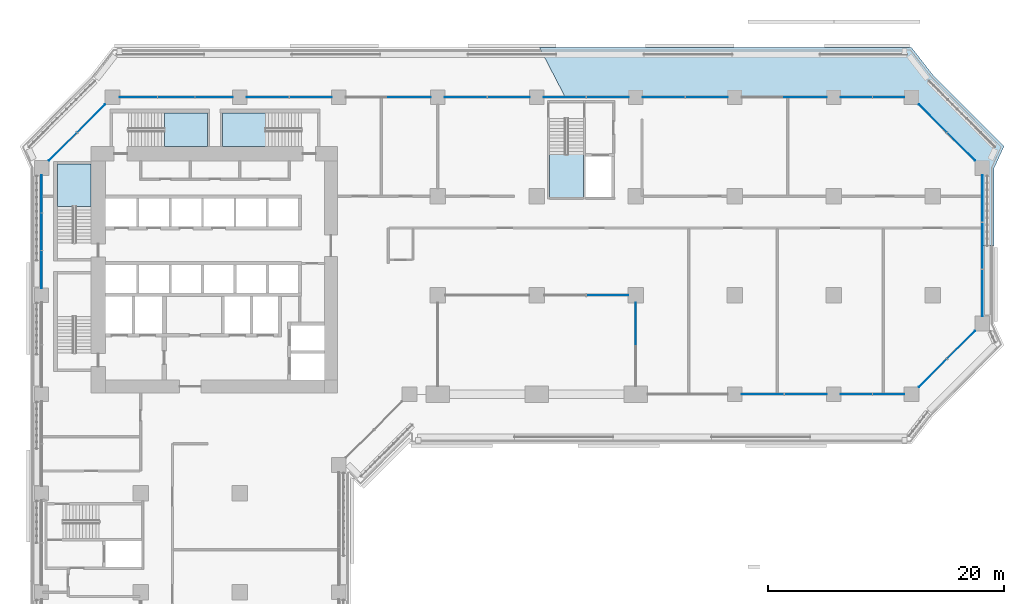
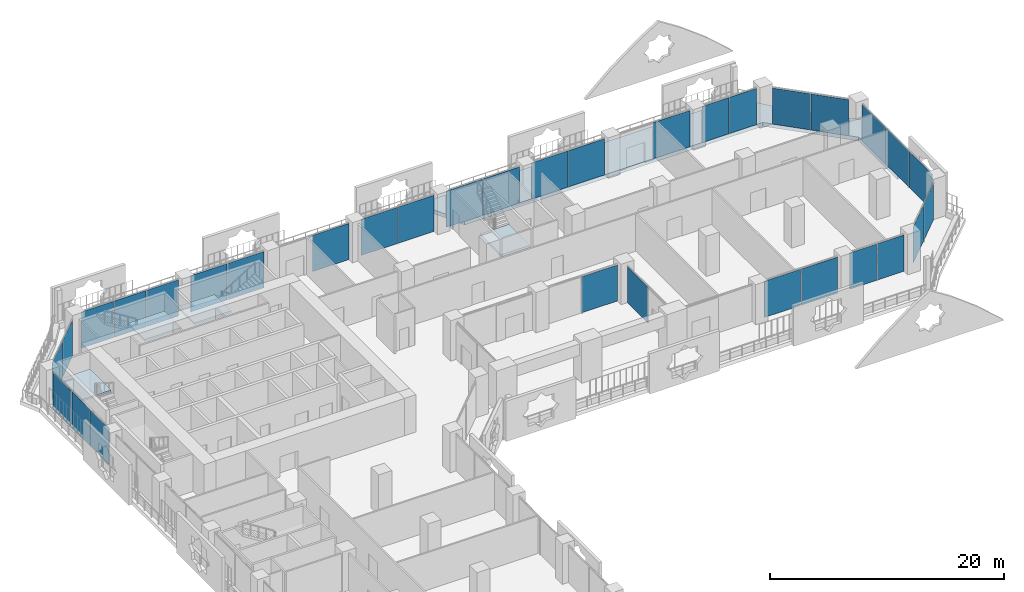
# One storey, part 12 of 27: 33 plates, 5 slabs, 13 elements without a shape of their own.
"""IFC4 building model written with IfcOpenShell, lengths in metres."""

from ifc_helpers import new_model, si_unit, direction, frame, origin, origin_2d, place, context, subcontext, project, spatial, polyline, rectangle, outline, extrude, material, layer, layer_set, type_object, element, aggregate, save


model = new_model("IFC4")

# Units and contexts
model_context = context("Model", 3, precision=1e-05, world=origin(), true_north=direction((0.0, 1.0)))
body_context = subcontext(model_context, "Body", "Model", "MODEL_VIEW")
ifc_project = project(units=[si_unit("LENGTHUNIT", "METRE"), si_unit("AREAUNIT", "SQUARE_METRE"), si_unit("VOLUMEUNIT", "CUBIC_METRE"), si_unit("PLANEANGLEUNIT", "RADIAN"), si_unit("MASSUNIT", "GRAM", prefix="KILO")], contexts=[model_context])

# Site, building, storey
site_placement = place(None, origin())
site = spatial("IfcSite", under=ifc_project, at=site_placement, CompositionType="ELEMENT")
building_placement = place(site_placement, origin())
building = spatial("IfcBuilding", under=site, at=building_placement, Name="Kawkab Arch Medical Tower", CompositionType="ELEMENT")
storey_placement = place(building_placement, frame((0.0, 0.0, 39.199951171875)))
storey = spatial("IfcBuildingStorey", under=building, at=storey_placement, Name="L08", CompositionType="ELEMENT", Elevation=39.199951171875)

# Curtain wall, plates
ifc_material_1 = material(Name="Bronze anodised aluminium curtain wall frame", Category="aluminium")
ifc_layer_1 = layer(ifc_material_1, 0.159912109375)
ifc_layer_set_1 = layer_set([ifc_layer_1], Name="Bronze anodised aluminium curtain wall frame")
curtain_wall_type_1 = type_object("IfcCurtainWallType", Name="CW1 ward curtain wall", PredefinedType="NOTDEFINED", material=ifc_layer_set_1)
placement_1 = place(storey_placement, origin())
curtain_wall_1 = element("IfcCurtainWall", 1, at=placement_1, inside=storey, type_object=curtain_wall_type_1, Name="CW1 Ward curtain wall R05", PredefinedType="NOTDEFINED")
ifc_material_2 = material(Name="Tinted insulating glass, bronze low-e coating", Category="glass")
ifc_layer_2 = layer(ifc_material_2, 0.031982421875)
ifc_layer_set_2 = layer_set([ifc_layer_2], Name="Tinted insulating glass, bronze low-e coating")
plate_type_1 = type_object("IfcPlateType", Name="CW1 glazing unit 32", PredefinedType="CURTAIN_PANEL", material=ifc_layer_set_2)
plate_1_placement = place(storey_placement, frame((61.18505859375, -25.199951171875, 0.0), z_axis=(0.0, 0.0, 1.0), x_axis=(1.0, 0.0, 0.0)))
plate_1 = element("IfcPlate", 2, at=plate_1_placement, type_object=plate_type_1, Name="CW1 glazing unit 2.1", PredefinedType="CURTAIN_PANEL", context=body_context, shape_type="SweptSolid", body=[
    extrude(rectangle(XDim=3.570068359375, YDim=0.031982421875, at=origin_2d()), origin(), (0.0, 0.0, 1.0), 3.780029296875),
])
plate_2_placement = place(storey_placement, frame((64.81494140625, -25.199951171875, 0.0), z_axis=(0.0, 0.0, 1.0), x_axis=(1.0, 0.0, 0.0)))
plate_2 = element("IfcPlate", 3, at=plate_2_placement, type_object=plate_type_1, Name="CW1 glazing unit 2.2", PredefinedType="CURTAIN_PANEL", context=body_context, shape_type="SweptSolid", body=[
    extrude(rectangle(XDim=3.570068359375, YDim=0.031982421875, at=origin_2d()), origin(), (0.0, 0.0, 1.0), 3.780029296875),
])
plate_3_placement = place(storey_placement, frame((69.128662109375, -25.199951171875, 0.0), z_axis=(0.0, 0.0, 1.0), x_axis=(1.0, 0.0, 0.0)))
plate_3 = element("IfcPlate", 4, at=plate_3_placement, type_object=plate_type_1, Name="CW1 glazing unit 3.1", PredefinedType="CURTAIN_PANEL", context=body_context, shape_type="SweptSolid", body=[
    extrude(rectangle(XDim=2.657470703125, YDim=0.031982421875, at=origin_2d()), origin(), (0.0, 0.0, 1.0), 3.780029296875),
])
plate_4_placement = place(storey_placement, frame((71.84619140625, -25.199951171875, 0.0), z_axis=(0.0, 0.0, 1.0), x_axis=(1.0, 0.0, 0.0)))
plate_4 = element("IfcPlate", 5, at=plate_4_placement, type_object=plate_type_1, Name="CW1 glazing unit 3.2", PredefinedType="CURTAIN_PANEL", context=body_context, shape_type="SweptSolid", body=[
    extrude(rectangle(XDim=2.657470703125, YDim=0.031982421875, at=origin_2d()), origin(), (0.0, 0.0, 1.0), 3.780029296875),
])
aggregate(curtain_wall_1, [plate_1, plate_2, plate_3, plate_4])

curtain_wall_2 = element("IfcCurtainWall", 6, at=placement_1, inside=storey, type_object=curtain_wall_type_1, Name="CW1 Ward curtain wall R07", PredefinedType="NOTDEFINED")
plate_5_placement = place(storey_placement, frame((79.800048828125, -16.598388671875, 0.0), z_axis=(0.0, 0.0, 1.0), x_axis=(0.0, 1.0, 0.0)))
plate_5 = element("IfcPlate", 7, at=plate_5_placement, type_object=plate_type_1, Name="CW1 glazing unit 1.1", PredefinedType="CURTAIN_PANEL", context=body_context, shape_type="SweptSolid", body=[
    extrude(rectangle(XDim=3.953369140625, YDim=0.031982421875, at=origin_2d()), origin(), (0.0, 0.0, 1.0), 3.780029296875),
])
plate_6_placement = place(storey_placement, frame((79.800048828125, -12.60009765625, 0.0), z_axis=(0.0, 0.0, 1.0), x_axis=(0.0, 1.0, 0.0)))
plate_6 = element("IfcPlate", 8, at=plate_6_placement, type_object=plate_type_1, Name="CW1 glazing unit 1.2", PredefinedType="CURTAIN_PANEL", context=body_context, shape_type="SweptSolid", body=[
    extrude(rectangle(XDim=3.92333984375, YDim=0.031982421875, at=origin_2d()), origin(), (0.0, 0.0, 1.0), 3.780029296875),
])
plate_7_placement = place(storey_placement, frame((79.800048828125, -8.6015625, 0.0), z_axis=(0.0, 0.0, 1.0), x_axis=(0.0, 1.0, 0.0)))
plate_7 = element("IfcPlate", 9, at=plate_7_placement, type_object=plate_type_1, Name="CW1 glazing unit 1.3", PredefinedType="CURTAIN_PANEL", context=body_context, shape_type="SweptSolid", body=[
    extrude(rectangle(XDim=3.953369140625, YDim=0.031982421875, at=origin_2d()), origin(), (0.0, 0.0, 1.0), 3.780029296875),
])
aggregate(curtain_wall_2, [plate_5, plate_6, plate_7])

curtain_wall_3 = element("IfcCurtainWall", 10, at=placement_1, inside=storey, type_object=curtain_wall_type_1, Name="CW1 Ward curtain wall R09", PredefinedType="NOTDEFINED")
plate_8_placement = place(storey_placement, frame((71.84619140625, 0.0, 0.0), z_axis=(0.0, 0.0, 1.0), x_axis=(-1.0, 0.0, 0.0)))
plate_8 = element("IfcPlate", 11, at=plate_8_placement, type_object=plate_type_1, Name="CW1 glazing unit 1.1", PredefinedType="CURTAIN_PANEL", context=body_context, shape_type="SweptSolid", body=[
    extrude(rectangle(XDim=2.657470703125, YDim=0.031982421875, at=origin_2d()), origin(), (0.0, 0.0, 1.0), 3.780029296875),
])
plate_9_placement = place(storey_placement, frame((69.128662109375, 0.0, 0.0), z_axis=(0.0, 0.0, 1.0), x_axis=(-1.0, 0.0, 0.0)))
plate_9 = element("IfcPlate", 12, at=plate_9_placement, type_object=plate_type_1, Name="CW1 glazing unit 1.2", PredefinedType="CURTAIN_PANEL", context=body_context, shape_type="SweptSolid", body=[
    extrude(rectangle(XDim=2.657470703125, YDim=0.031982421875, at=origin_2d()), origin(), (0.0, 0.0, 1.0), 3.780029296875),
])
plate_10_placement = place(storey_placement, frame((64.800048828125, 0.0, 0.0), z_axis=(0.0, 0.0, 1.0), x_axis=(-1.0, 0.0, 0.0)))
plate_10 = element("IfcPlate", 13, at=plate_10_placement, type_object=plate_type_1, Name="CW1 glazing unit 2.1", PredefinedType="CURTAIN_PANEL", context=body_context, shape_type="SweptSolid", body=[
    extrude(rectangle(XDim=3.60009765625, YDim=0.031982421875, at=origin_2d()), origin(), (0.0, 0.0, 1.0), 3.780029296875),
])
plate_11_placement = place(storey_placement, frame((56.4150390625, 0.0, 0.0), z_axis=(0.0, 0.0, 1.0), x_axis=(-1.0, 0.0, 0.0)))
plate_11 = element("IfcPlate", 14, at=plate_11_placement, type_object=plate_type_1, Name="CW1 glazing unit 3.1", PredefinedType="CURTAIN_PANEL", context=body_context, shape_type="SweptSolid", body=[
    extrude(rectangle(XDim=3.570068359375, YDim=0.031982421875, at=origin_2d()), origin(), (0.0, 0.0, 1.0), 3.780029296875),
])
plate_12_placement = place(storey_placement, frame((52.784912109375, 0.0, 0.0), z_axis=(0.0, 0.0, 1.0), x_axis=(-1.0, 0.0, 0.0)))
plate_12 = element("IfcPlate", 15, at=plate_12_placement, type_object=plate_type_1, Name="CW1 glazing unit 3.2", PredefinedType="CURTAIN_PANEL", context=body_context, shape_type="SweptSolid", body=[
    extrude(rectangle(XDim=3.570068359375, YDim=0.031982421875, at=origin_2d()), origin(), (0.0, 0.0, 1.0), 3.780029296875),
])
plate_13_placement = place(storey_placement, frame((48.014892578125, 0.0, 0.0), z_axis=(0.0, 0.0, 1.0), x_axis=(-1.0, 0.0, 0.0)))
plate_13 = element("IfcPlate", 16, at=plate_13_placement, type_object=plate_type_1, Name="CW1 glazing unit 4.1", PredefinedType="CURTAIN_PANEL", context=body_context, shape_type="SweptSolid", body=[
    extrude(rectangle(XDim=3.570068359375, YDim=0.031982421875, at=origin_2d()), origin(), (0.0, 0.0, 1.0), 3.780029296875),
])
plate_14_placement = place(storey_placement, frame((44.385009765625, 0.0, 0.0), z_axis=(0.0, 0.0, 1.0), x_axis=(-1.0, 0.0, 0.0)))
plate_14 = element("IfcPlate", 17, at=plate_14_placement, type_object=plate_type_1, Name="CW1 glazing unit 4.2", PredefinedType="CURTAIN_PANEL", context=body_context, shape_type="SweptSolid", body=[
    extrude(rectangle(XDim=3.570068359375, YDim=0.031982421875, at=origin_2d()), origin(), (0.0, 0.0, 1.0), 3.780029296875),
])
plate_15_placement = place(storey_placement, frame((39.614990234375, 0.0, 0.0), z_axis=(0.0, 0.0, 1.0), x_axis=(-1.0, 0.0, 0.0)))
plate_15 = element("IfcPlate", 18, at=plate_15_placement, type_object=plate_type_1, Name="CW1 glazing unit 5.1", PredefinedType="CURTAIN_PANEL", context=body_context, shape_type="SweptSolid", body=[
    extrude(rectangle(XDim=3.570068359375, YDim=0.031982421875, at=origin_2d()), origin(), (0.0, 0.0, 1.0), 3.780029296875),
])
plate_16_placement = place(storey_placement, frame((35.985107421875, 0.0, 0.0), z_axis=(0.0, 0.0, 1.0), x_axis=(-1.0, 0.0, 0.0)))
plate_16 = element("IfcPlate", 19, at=plate_16_placement, type_object=plate_type_1, Name="CW1 glazing unit 5.2", PredefinedType="CURTAIN_PANEL", context=body_context, shape_type="SweptSolid", body=[
    extrude(rectangle(XDim=3.570068359375, YDim=0.031982421875, at=origin_2d()), origin(), (0.0, 0.0, 1.0), 3.780029296875),
])
plate_17_placement = place(storey_placement, frame((31.199951171875, 0.0, 0.0), z_axis=(0.0, 0.0, 1.0), x_axis=(-1.0, 0.0, 0.0)))
plate_17 = element("IfcPlate", 20, at=plate_17_placement, type_object=plate_type_1, Name="CW1 glazing unit 6.1", PredefinedType="CURTAIN_PANEL", context=body_context, shape_type="SweptSolid", body=[
    extrude(rectangle(XDim=3.60009765625, YDim=0.031982421875, at=origin_2d()), origin(), (0.0, 0.0, 1.0), 3.780029296875),
])
plate_18_placement = place(storey_placement, frame((22.81494140625, 0.0, 0.0), z_axis=(0.0, 0.0, 1.0), x_axis=(-1.0, 0.0, 0.0)))
plate_18 = element("IfcPlate", 21, at=plate_18_placement, type_object=plate_type_1, Name="CW1 glazing unit 7.1", PredefinedType="CURTAIN_PANEL", context=body_context, shape_type="SweptSolid", body=[
    extrude(rectangle(XDim=3.570068359375, YDim=0.031982421875, at=origin_2d()), origin(), (0.0, 0.0, 1.0), 3.780029296875),
])
plate_19_placement = place(storey_placement, frame((19.18505859375, 0.0, 0.0), z_axis=(0.0, 0.0, 1.0), x_axis=(-1.0, 0.0, 0.0)))
plate_19 = element("IfcPlate", 22, at=plate_19_placement, type_object=plate_type_1, Name="CW1 glazing unit 7.2", PredefinedType="CURTAIN_PANEL", context=body_context, shape_type="SweptSolid", body=[
    extrude(rectangle(XDim=3.570068359375, YDim=0.031982421875, at=origin_2d()), origin(), (0.0, 0.0, 1.0), 3.780029296875),
])
plate_20_placement = place(storey_placement, frame((14.619140625, 0.0, 0.0), z_axis=(0.0, 0.0, 1.0), x_axis=(-1.0, 0.0, 0.0)))
plate_20 = element("IfcPlate", 23, at=plate_20_placement, type_object=plate_type_1, Name="CW1 glazing unit 8.1", PredefinedType="CURTAIN_PANEL", context=body_context, shape_type="SweptSolid", body=[
    extrude(rectangle(XDim=3.16162109375, YDim=0.031982421875, at=origin_2d()), origin(), (0.0, 0.0, 1.0), 3.780029296875),
])
plate_21_placement = place(storey_placement, frame((11.41259765625, 0.0, 0.0), z_axis=(0.0, 0.0, 1.0), x_axis=(-1.0, 0.0, 0.0)))
plate_21 = element("IfcPlate", 24, at=plate_21_placement, type_object=plate_type_1, Name="CW1 glazing unit 8.2", PredefinedType="CURTAIN_PANEL", context=body_context, shape_type="SweptSolid", body=[
    extrude(rectangle(XDim=3.131591796875, YDim=0.031982421875, at=origin_2d()), origin(), (0.0, 0.0, 1.0), 3.780029296875),
])
plate_22_placement = place(storey_placement, frame((8.205810546875, 0.0, 0.0), z_axis=(0.0, 0.0, 1.0), x_axis=(-1.0, 0.0, 0.0)))
plate_22 = element("IfcPlate", 25, at=plate_22_placement, type_object=plate_type_1, Name="CW1 glazing unit 8.3", PredefinedType="CURTAIN_PANEL", context=body_context, shape_type="SweptSolid", body=[
    extrude(rectangle(XDim=3.16162109375, YDim=0.031982421875, at=origin_2d()), origin(), (0.0, 0.0, 1.0), 3.780029296875),
])
aggregate(curtain_wall_3, [plate_8, plate_9, plate_10, plate_11, plate_12, plate_13, plate_14, plate_15, plate_16, plate_17, plate_18, plate_19, plate_20, plate_21, plate_22])

curtain_wall_4 = element("IfcCurtainWall", 26, at=placement_1, inside=storey, type_object=curtain_wall_type_1, Name="CW1 Ward curtain wall R11", PredefinedType="NOTDEFINED")
plate_23_placement = place(storey_placement, frame((0.0, -8.205810546875, 0.0), z_axis=(0.0, 0.0, 1.0), x_axis=(0.0, -1.0, 0.0)))
plate_23 = element("IfcPlate", 27, at=plate_23_placement, type_object=plate_type_1, Name="CW1 glazing unit 1.1", PredefinedType="CURTAIN_PANEL", context=body_context, shape_type="SweptSolid", body=[
    extrude(rectangle(XDim=3.16162109375, YDim=0.031982421875, at=origin_2d()), origin(), (0.0, 0.0, 1.0), 3.780029296875),
])
plate_24_placement = place(storey_placement, frame((0.0, -11.41259765625, 0.0), z_axis=(0.0, 0.0, 1.0), x_axis=(0.0, -1.0, 0.0)))
plate_24 = element("IfcPlate", 28, at=plate_24_placement, type_object=plate_type_1, Name="CW1 glazing unit 1.2", PredefinedType="CURTAIN_PANEL", context=body_context, shape_type="SweptSolid", body=[
    extrude(rectangle(XDim=3.131591796875, YDim=0.031982421875, at=origin_2d()), origin(), (0.0, 0.0, 1.0), 3.780029296875),
])
plate_25_placement = place(storey_placement, frame((0.0, -14.619140625, 0.0), z_axis=(0.0, 0.0, 1.0), x_axis=(0.0, -1.0, 0.0)))
plate_25 = element("IfcPlate", 29, at=plate_25_placement, type_object=plate_type_1, Name="CW1 glazing unit 1.3", PredefinedType="CURTAIN_PANEL", context=body_context, shape_type="SweptSolid", body=[
    extrude(rectangle(XDim=3.16162109375, YDim=0.031982421875, at=origin_2d()), origin(), (0.0, 0.0, 1.0), 3.780029296875),
])
aggregate(curtain_wall_4, [plate_23, plate_24, plate_25])

ifc_material_3 = material(Name="Bronze anodised aluminium curtain wall frame", Category="aluminium")
ifc_layer_3 = layer(ifc_material_3, 0.159912109375)
ifc_layer_set_3 = layer_set([ifc_layer_3], Name="Bronze anodised aluminium curtain wall frame")
curtain_wall_type_2 = type_object("IfcCurtainWallType", Name="CW2 chamfer curtain wall", PredefinedType="NOTDEFINED", material=ifc_layer_set_3)
curtain_wall_5 = element("IfcCurtainWall", 30, at=placement_1, inside=storey, type_object=curtain_wall_type_2, Name="CW2 Chamfer curtain wall R06", PredefinedType="NOTDEFINED")
ifc_material_4 = material(Name="Tinted insulating glass, bronze low-e coating", Category="glass")
ifc_layer_4 = layer(ifc_material_4, 0.031982421875)
ifc_layer_set_4 = layer_set([ifc_layer_4], Name="Tinted insulating glass, bronze low-e coating")
plate_type_2 = type_object("IfcPlateType", Name="CW2 glazing unit 32", PredefinedType="CURTAIN_PANEL", material=ifc_layer_set_4)
plate_26_placement = place(storey_placement, frame((75.601806640625, -23.398193359375, 0.0), z_axis=(0.0, 0.0, 1.0), x_axis=(0.707106781187, 0.707106781187, 0.0)))
plate_26 = element("IfcPlate", 31, at=plate_26_placement, type_object=plate_type_2, Name="CW2 glazing unit 1.1", PredefinedType="CURTAIN_PANEL", context=body_context, shape_type="SweptSolid", body=[
    extrude(rectangle(XDim=3.328857421875, YDim=0.031982421875, at=origin_2d()), origin(), (0.0, 0.0, 1.0), 3.760009765625),
])
plate_27_placement = place(storey_placement, frame((77.998046875, -21.001953125, 0.0), z_axis=(0.0, 0.0, 1.0), x_axis=(0.707106781187, 0.707106781187, 0.0)))
plate_27 = element("IfcPlate", 32, at=plate_27_placement, type_object=plate_type_2, Name="CW2 glazing unit 1.2", PredefinedType="CURTAIN_PANEL", context=body_context, shape_type="SweptSolid", body=[
    extrude(rectangle(XDim=3.328857421875, YDim=0.031982421875, at=origin_2d()), origin(), (0.0, 0.0, 1.0), 3.760009765625),
])
aggregate(curtain_wall_5, [plate_26, plate_27])

curtain_wall_6 = element("IfcCurtainWall", 33, at=placement_1, inside=storey, type_object=curtain_wall_type_2, Name="CW2 Chamfer curtain wall R08", PredefinedType="NOTDEFINED")
plate_28_placement = place(storey_placement, frame((77.998046875, -4.197998046875, 0.0), z_axis=(0.0, 0.0, 1.0), x_axis=(-0.707106781187, 0.707106781187, 0.0)))
plate_28 = element("IfcPlate", 34, at=plate_28_placement, type_object=plate_type_2, Name="CW2 glazing unit 1.1", PredefinedType="CURTAIN_PANEL", context=body_context, shape_type="SweptSolid", body=[
    extrude(rectangle(XDim=3.328857421875, YDim=0.031982421875, at=origin_2d()), origin(), (0.0, 0.0, 1.0), 3.760009765625),
])
plate_29_placement = place(storey_placement, frame((75.601806640625, -1.802001953125, 0.0), z_axis=(0.0, 0.0, 1.0), x_axis=(-0.707106781187, 0.707106781187, 0.0)))
plate_29 = element("IfcPlate", 35, at=plate_29_placement, type_object=plate_type_2, Name="CW2 glazing unit 1.2", PredefinedType="CURTAIN_PANEL", context=body_context, shape_type="SweptSolid", body=[
    extrude(rectangle(XDim=3.328857421875, YDim=0.031982421875, at=origin_2d()), origin(), (0.0, 0.0, 1.0), 3.760009765625),
])
aggregate(curtain_wall_6, [plate_28, plate_29])

curtain_wall_7 = element("IfcCurtainWall", 36, at=placement_1, inside=storey, type_object=curtain_wall_type_2, Name="CW2 Chamfer curtain wall R10", PredefinedType="NOTDEFINED")
plate_30_placement = place(storey_placement, frame((4.197998046875, -1.802001953125, 0.0), z_axis=(0.0, 0.0, 1.0), x_axis=(-0.707106781187, -0.707106781187, 0.0)))
plate_30 = element("IfcPlate", 37, at=plate_30_placement, type_object=plate_type_2, Name="CW2 glazing unit 1.1", PredefinedType="CURTAIN_PANEL", context=body_context, shape_type="SweptSolid", body=[
    extrude(rectangle(XDim=3.328857421875, YDim=0.031982421875, at=origin_2d()), origin(), (0.0, 0.0, 1.0), 3.760009765625),
])
plate_31_placement = place(storey_placement, frame((1.802001953125, -4.197998046875, 0.0), z_axis=(0.0, 0.0, 1.0), x_axis=(-0.707106781187, -0.707106781187, 0.0)))
plate_31 = element("IfcPlate", 38, at=plate_31_placement, type_object=plate_type_2, Name="CW2 glazing unit 1.2", PredefinedType="CURTAIN_PANEL", context=body_context, shape_type="SweptSolid", body=[
    extrude(rectangle(XDim=3.328857421875, YDim=0.031982421875, at=origin_2d()), origin(), (0.0, 0.0, 1.0), 3.760009765625),
])
aggregate(curtain_wall_7, [plate_30, plate_31])

# Curtain wall, plate
ifc_material_5 = material(Name="Bronze anodised aluminium curtain wall frame", Category="aluminium")
ifc_layer_5 = layer(ifc_material_5, 0.159912109375)
ifc_layer_set_5 = layer_set([ifc_layer_5], Name="Bronze anodised aluminium curtain wall frame")
curtain_wall_type_3 = type_object("IfcCurtainWallType", Name="CW3 sky garden curtain wall", PredefinedType="NOTDEFINED", material=ifc_layer_set_5)
curtain_wall_8 = element("IfcCurtainWall", 39, at=placement_1, inside=storey, type_object=curtain_wall_type_3, Name="CW3 Sky garden curtain wall R03", PredefinedType="NOTDEFINED")
ifc_material_6 = material(Name="Tinted laminated insulating glass, grey-green", Category="glass")
ifc_layer_6 = layer(ifc_material_6, 0.035888671875)
ifc_layer_set_6 = layer_set([ifc_layer_6], Name="Tinted laminated insulating glass, grey-green")
plate_type_3 = type_object("IfcPlateType", Name="CW3 glazing unit 36", PredefinedType="CURTAIN_PANEL", material=ifc_layer_set_6)
plate_32_placement = place(storey_placement, frame((47.992431640625, -16.800048828125, 0.0), z_axis=(0.0, 0.0, 1.0), x_axis=(1.0, 0.0, 0.0)))
plate_32 = element("IfcPlate", 40, at=plate_32_placement, type_object=plate_type_3, Name="CW3 glazing unit 2.2", PredefinedType="CURTAIN_PANEL", context=body_context, shape_type="SweptSolid", body=[
    extrude(rectangle(XDim=3.514892578125, YDim=0.035888671875, at=origin_2d()), origin(), (0.0, 0.0, 1.0), 3.760009765625),
])
aggregate(curtain_wall_8, [plate_32])

curtain_wall_9 = element("IfcCurtainWall", 41, at=placement_1, inside=storey, type_object=curtain_wall_type_3, Name="CW3 Sky garden curtain wall R04", PredefinedType="NOTDEFINED")
plate_33_placement = place(storey_placement, frame((50.39990234375, -19.21240234375, 0.0), z_axis=(0.0, 0.0, 1.0), x_axis=(0.0, -1.0, 0.0)))
plate_33 = element("IfcPlate", 42, at=plate_33_placement, type_object=plate_type_3, Name="CW3 glazing unit 1.1", PredefinedType="CURTAIN_PANEL", context=body_context, shape_type="SweptSolid", body=[
    extrude(rectangle(XDim=3.52490234375, YDim=0.035888671875, at=origin_2d()), origin(), (0.0, 0.0, 1.0), 3.760009765625),
])
aggregate(curtain_wall_9, [plate_33])

# Stair, slab
ifc_material_7 = material(Name="Concrete C40/50", Category="concrete")
stair_type = type_object("IfcStairType", Name="Exit stair 1350", PredefinedType="HALF_TURN_STAIR", material=ifc_material_7)
stair_1 = element("IfcStair", 43, at=placement_1, inside=storey, type_object=stair_type, Name="L08 Exit stair ST1", PredefinedType="HALF_TURN_STAIR")
ifc_material_8 = material(Name="Concrete C40/50", Category="concrete")
ifc_layer_7 = layer(ifc_material_8, 0.199951171875)
ifc_layer_set_7 = layer_set([ifc_layer_7], Name="Concrete C40/50")
slab_type_1 = type_object("IfcSlabType", Name="Exit stair landing 200", PredefinedType="LANDING", material=ifc_layer_set_7)
placement_2 = place(storey_placement, frame((0.0, 0.0, 1.900146484375)))
slab_1 = element("IfcSlab", 44, at=placement_2, type_object=slab_type_1, Name="ST1 landing 1", PredefinedType="LANDING", context=body_context, shape_type="SweptSolid", body=[
    extrude(outline(polyline([(4.199951171875, -9.27001953125), (4.199951171875, -5.64990234375), (1.35009765625, -5.64990234375), (1.35009765625, -9.27001953125), (4.199951171875, -9.27001953125)])), origin(), (0.0, 0.0, 1.0), 0.199951171875),
])
aggregate(stair_1, [slab_1])

stair_2 = element("IfcStair", 45, at=placement_1, inside=storey, type_object=stair_type, Name="L08 Exit stair ST3", PredefinedType="HALF_TURN_STAIR")
slab_2 = element("IfcSlab", 46, at=placement_2, type_object=slab_type_1, Name="ST3 landing 1", PredefinedType="LANDING", context=body_context, shape_type="SweptSolid", body=[
    extrude(outline(polyline([(10.429931640625, -4.199951171875), (14.050048828125, -4.199951171875), (14.050048828125, -1.35009765625), (10.429931640625, -1.35009765625), (10.429931640625, -4.199951171875)])), origin(), (0.0, 0.0, 1.0), 0.199951171875),
])
aggregate(stair_2, [slab_2])

stair_3 = element("IfcStair", 47, at=placement_1, inside=storey, type_object=stair_type, Name="L08 Exit stair ST4", PredefinedType="HALF_TURN_STAIR")
slab_3 = element("IfcSlab", 48, at=placement_2, type_object=slab_type_1, Name="ST4 landing 1", PredefinedType="LANDING", context=body_context, shape_type="SweptSolid", body=[
    extrude(outline(polyline([(18.969970703125, -1.35009765625), (15.35009765625, -1.35009765625), (15.35009765625, -4.199951171875), (18.969970703125, -4.199951171875), (18.969970703125, -1.35009765625)])), origin(), (0.0, 0.0, 1.0), 0.199951171875),
])
aggregate(stair_3, [slab_3])

stair_4 = element("IfcStair", 49, at=placement_1, inside=storey, type_object=stair_type, Name="L08 Exit stair ST5", PredefinedType="HALF_TURN_STAIR")
slab_4 = element("IfcSlab", 50, at=placement_2, type_object=slab_type_1, Name="ST5 landing 1", PredefinedType="LANDING", context=body_context, shape_type="SweptSolid", body=[
    extrude(outline(polyline([(43.10009765625, -4.8798828125), (43.10009765625, -8.5), (45.949951171875, -8.5), (45.949951171875, -4.8798828125), (43.10009765625, -4.8798828125)])), origin(), (0.0, 0.0, 1.0), 0.199951171875),
])
aggregate(stair_4, [slab_4])

# Slab
ifc_material_9 = material(Name="Concrete C40/50", Category="concrete")
ifc_layer_8 = layer(ifc_material_9, 0.39990234375)
ifc_layer_set_8 = layer_set([ifc_layer_8], Name="Concrete C40/50")
slab_type_2 = type_object("IfcSlabType", Name="Loggia slab 400", PredefinedType="FLOOR", material=ifc_layer_set_8)
slab_5_placement = place(storey_placement, frame((0.0, 0.0, -0.39990234375)))
element("IfcSlab", 51, at=slab_5_placement, inside=storey, type_object=slab_type_2, Name="Loggia slab L08.6", PredefinedType="FLOOR", context=body_context, shape_type="SweptSolid", body=[
    extrude(outline(polyline([(75.637939453125, 1.837890625), (81.637939453125, -4.162109375), (80.800048828125, -6.0), (80.800048828125, -12.60009765625), (79.800048828125, -12.60009765625), (79.800048828125, -6.0), (73.800048828125, 0.0), (73.800048828125, 0.0009765625), (44.410888671875, 0.0009765625), (42.23388671875, 4.199951171875), (73.800048828125, 4.199951171875), (75.637939453125, 1.837890625)])), origin(), (0.0, 0.0, 1.0), 0.39990234375),
])

save(model, "model.ifc")
